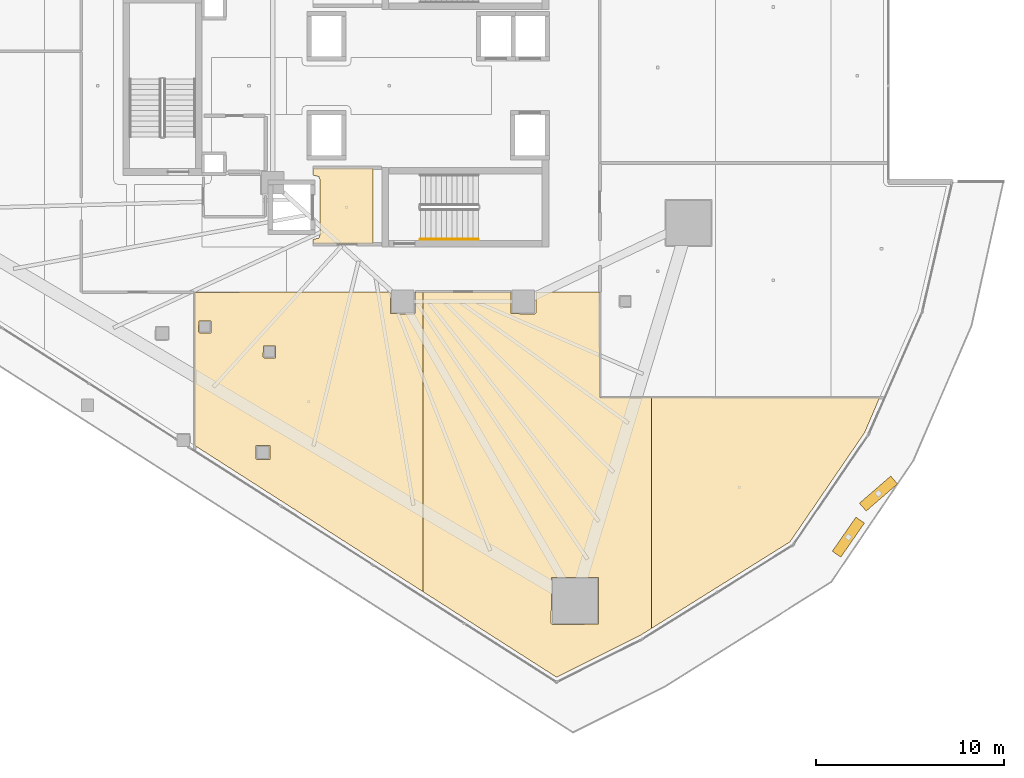
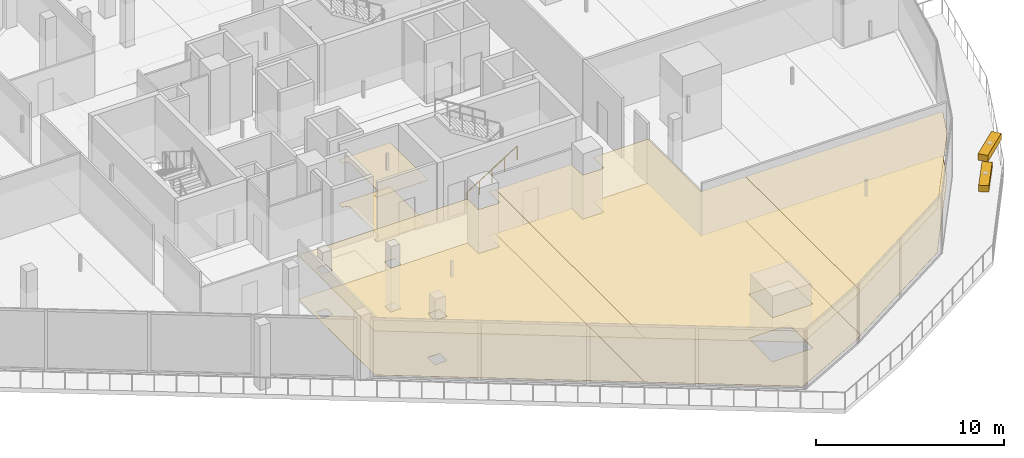
# One storey, part 39 of 45: 8 coverings, 2 shading devices, 1 railing.
"""IFC4 building model written with IfcOpenShell, lengths in metres."""

from ifc_helpers import new_model, si_unit, direction, frame, origin, origin_2d, place, context, subcontext, project, spatial, polyline, rectangle, circle, outline, extrude, material, layer, layer_set, type_object, element, save


model = new_model("IFC4")

# Units and contexts
model_context = context("Model", 3, precision=1e-05, world=origin(), true_north=direction((0.0, 1.0)))
body_context = subcontext(model_context, "Body", "Model", "MODEL_VIEW")
ifc_project = project(units=[si_unit("LENGTHUNIT", "METRE"), si_unit("AREAUNIT", "SQUARE_METRE"), si_unit("VOLUMEUNIT", "CUBIC_METRE"), si_unit("PLANEANGLEUNIT", "RADIAN"), si_unit("MASSUNIT", "GRAM", prefix="KILO")], contexts=[model_context])

# Site, building, storey
site_placement = place(None, origin())
site = spatial("IfcSite", under=ifc_project, at=site_placement, CompositionType="ELEMENT")
building_placement = place(site_placement, origin())
building = spatial("IfcBuilding", under=site, at=building_placement, Name="Qorvath Tower", CompositionType="ELEMENT")
storey_placement = place(building_placement, frame((0.0, 0.0, 95.39990234375)))
storey = spatial("IfcBuildingStorey", under=building, at=storey_placement, Name="L21", CompositionType="ELEMENT", Elevation=95.39990234375)

# Coverings
ifc_material_1 = material(Name="Acoustic mineral fibre ceiling tile", Category="gypsum")
ifc_layer_1 = layer(ifc_material_1, 0.030029296875)
ifc_layer_set_1 = layer_set([ifc_layer_1], Name="COV-CEIL")
covering_type_1 = type_object("IfcCoveringType", Name="COV-CEIL", PredefinedType="CEILING", material=ifc_layer_set_1)
covering_1_placement = place(storey_placement, frame((0.0, 0.0, 2.85009765625)))
element("IfcCovering", 1, at=covering_1_placement, inside=storey, type_object=covering_type_1, Name="L21 Suspended Acoustic Ceiling 002", PredefinedType="CEILING", context=body_context, shape_type="SweptSolid", body=[
    extrude(outline(polyline([(-25.18994140625, -8.39501953125), (-25.18994140625, -4.35498046875), (-28.375, -4.35498046875), (-28.375, -4.739990234375), (-28.063232421875, -4.813232421875), (-27.989990234375, -4.989990234375), (-27.989990234375, -7.909912109375), (-28.063232421875, -8.086669921875), (-28.375, -8.159912109375), (-28.375, -8.39501953125), (-25.18994140625, -8.39501953125)])), origin(), (0.0, 0.0, 1.0), 0.030029296875),
])
covering_2_placement = place(storey_placement, frame((0.0, 0.0, 2.85009765625)))
element("IfcCovering", 2, at=covering_2_placement, inside=storey, type_object=covering_type_1, Name="L21 Suspended Acoustic Ceiling 012", PredefinedType="CEILING", context=body_context, shape_type="SweptSolid", body=[
    extrude(outline(polyline([(-22.5283203125, -26.84814453125), (-22.5283203125, -10.939208984375), (-22.93994140625, -10.939208984375), (-22.93994140625, -12.050048828125), (-23.0, -12.110107421875), (-24.242431640625, -12.092529296875), (-24.260009765625, -10.939697265625), (-34.64501953125, -10.962890625), (-34.64501953125, -19.0888671875), (-22.5283203125, -26.84814453125)]), holes=[polyline([(-31.01220703125, -14.3994140625), (-30.99462890625, -13.806884765625), (-30.35986328125, -13.806884765625), (-30.35986328125, -14.441650390625), (-30.9521484375, -14.459228515625), (-31.01220703125, -14.3994140625)]), polyline([(-31.401123046875, -19.785400390625), (-31.383544921875, -19.093017578125), (-30.648681640625, -19.093017578125), (-30.648681640625, -19.827880859375), (-31.341064453125, -19.845458984375), (-31.401123046875, -19.785400390625)]), polyline([(-34.439208984375, -13.0673828125), (-34.421630859375, -12.47509765625), (-33.786865234375, -12.47509765625), (-33.786865234375, -13.10986328125), (-34.379150390625, -13.12744140625), (-34.439208984375, -13.0673828125)])]), origin(), (0.0, 0.0, 1.0), 0.030029296875),
])
covering_3_placement = place(storey_placement, frame((0.0, 0.0, 2.85009765625)))
element("IfcCovering", 3, at=covering_3_placement, inside=storey, type_object=covering_type_1, Name="L21 Suspended Acoustic Ceiling 013", PredefinedType="CEILING", context=body_context, shape_type="SweptSolid", body=[
    extrude(outline(polyline([(-15.441162109375, -31.386474609375), (-11.036865234375, -29.195068359375), (-10.41162109375, -28.804443359375), (-10.41162109375, -16.55224609375), (-13.130615234375, -16.552001953125), (-13.14697265625, -10.937744140625), (-16.5400390625, -10.940185546875), (-16.5400390625, -12.050048828125), (-16.60009765625, -12.110107421875), (-17.842529296875, -12.092529296875), (-17.860107421875, -10.939697265625), (-22.5283203125, -10.939208984375), (-22.5283203125, -26.84814453125), (-15.441162109375, -31.386474609375)]), holes=[polyline([(-15.724365234375, -28.53076171875), (-15.706787109375, -26.08837890625), (-13.221923828125, -26.08837890625), (-13.221923828125, -28.5732421875), (-15.664306640625, -28.5908203125), (-15.724365234375, -28.53076171875)])]), origin(), (0.0, 0.0, 1.0), 0.030029296875),
])
covering_4_placement = place(storey_placement, frame((0.0, 0.0, 2.85009765625)))
element("IfcCovering", 4, at=covering_4_placement, inside=storey, type_object=covering_type_1, Name="L21 Suspended Acoustic Ceiling 014", PredefinedType="CEILING", context=body_context, shape_type="SweptSolid", body=[
    extrude(outline(polyline([(-10.41162109375, -16.55224609375), (-10.41162109375, -28.804443359375), (-3.05029296875, -24.20849609375), (0.916015625, -18.403564453125), (1.705078125, -16.553466796875), (-10.41162109375, -16.55224609375)])), origin(), (0.0, 0.0, 1.0), 0.030029296875),
])
ifc_material_2 = material(Name="Low-VOC modular carpet tile", Category="textile")
ifc_layer_2 = layer(ifc_material_2, 0.014892578125)
ifc_layer_set_2 = layer_set([ifc_layer_2], Name="COV-FLOOR-CPT")
covering_type_2 = type_object("IfcCoveringType", Name="COV-FLOOR-CPT", PredefinedType="FLOORING", material=ifc_layer_set_2)
covering_5_placement = place(storey_placement, origin())
element("IfcCovering", 5, at=covering_5_placement, inside=storey, type_object=covering_type_2, Name="L21 Floor Finish 012", PredefinedType="FLOORING", context=body_context, shape_type="SweptSolid", body=[
    extrude(outline(polyline([(-22.5283203125, -26.84814453125), (-22.5283203125, -10.939208984375), (-22.93994140625, -10.939208984375), (-22.93994140625, -12.050048828125), (-23.0, -12.110107421875), (-24.242431640625, -12.092529296875), (-24.260009765625, -10.939697265625), (-34.64501953125, -10.962890625), (-34.64501953125, -19.0888671875), (-22.5283203125, -26.84814453125)]), holes=[polyline([(-31.01220703125, -14.3994140625), (-30.99462890625, -13.806884765625), (-30.35986328125, -13.806884765625), (-30.35986328125, -14.441650390625), (-30.9521484375, -14.459228515625), (-31.01220703125, -14.3994140625)]), polyline([(-31.401123046875, -19.785400390625), (-31.383544921875, -19.093017578125), (-30.648681640625, -19.093017578125), (-30.648681640625, -19.827880859375), (-31.341064453125, -19.845458984375), (-31.401123046875, -19.785400390625)]), polyline([(-34.439208984375, -13.0673828125), (-34.421630859375, -12.47509765625), (-33.786865234375, -12.47509765625), (-33.786865234375, -13.10986328125), (-34.379150390625, -13.12744140625), (-34.439208984375, -13.0673828125)])]), origin(), (0.0, 0.0, 1.0), 0.01513671875),
])
covering_6_placement = place(storey_placement, origin())
element("IfcCovering", 6, at=covering_6_placement, inside=storey, type_object=covering_type_2, Name="L21 Floor Finish 013", PredefinedType="FLOORING", context=body_context, shape_type="SweptSolid", body=[
    extrude(outline(polyline([(-15.441162109375, -31.386474609375), (-11.036865234375, -29.195068359375), (-10.41162109375, -28.804443359375), (-10.41162109375, -16.55224609375), (-13.130615234375, -16.552001953125), (-13.14697265625, -10.937744140625), (-16.5400390625, -10.940185546875), (-16.5400390625, -12.050048828125), (-16.60009765625, -12.110107421875), (-17.842529296875, -12.092529296875), (-17.860107421875, -10.939697265625), (-22.5283203125, -10.939208984375), (-22.5283203125, -26.84814453125), (-15.441162109375, -31.386474609375)]), holes=[polyline([(-15.724365234375, -28.53076171875), (-15.706787109375, -26.08837890625), (-13.221923828125, -26.08837890625), (-13.221923828125, -28.5732421875), (-15.664306640625, -28.5908203125), (-15.724365234375, -28.53076171875)])]), origin(), (0.0, 0.0, 1.0), 0.01513671875),
])
covering_7_placement = place(storey_placement, origin())
element("IfcCovering", 7, at=covering_7_placement, inside=storey, type_object=covering_type_2, Name="L21 Floor Finish 014", PredefinedType="FLOORING", context=body_context, shape_type="SweptSolid", body=[
    extrude(outline(polyline([(-10.41162109375, -16.55224609375), (-10.41162109375, -28.804443359375), (-3.05029296875, -24.20849609375), (0.916015625, -18.403564453125), (1.705078125, -16.553466796875), (-10.41162109375, -16.55224609375)])), origin(), (0.0, 0.0, 1.0), 0.01513671875),
])
ifc_material_3 = material(Name="Polished epoxy terrazzo flooring", Category="concrete")
ifc_layer_3 = layer(ifc_material_3, 0.02001953125)
ifc_layer_set_3 = layer_set([ifc_layer_3], Name="COV-FLOOR-TRZ")
covering_type_3 = type_object("IfcCoveringType", Name="COV-FLOOR-TRZ", PredefinedType="FLOORING", material=ifc_layer_set_3)
covering_8_placement = place(storey_placement, origin())
element("IfcCovering", 8, at=covering_8_placement, inside=storey, type_object=covering_type_3, Name="L21 Floor Finish 002", PredefinedType="FLOORING", context=body_context, shape_type="SweptSolid", body=[
    extrude(outline(polyline([(-25.18994140625, -8.39501953125), (-25.18994140625, -4.35498046875), (-28.375, -4.35498046875), (-28.375, -4.739990234375), (-28.063232421875, -4.813232421875), (-27.989990234375, -4.989990234375), (-27.989990234375, -7.909912109375), (-28.063232421875, -8.086669921875), (-28.375, -8.159912109375), (-28.375, -8.39501953125), (-25.18994140625, -8.39501953125)])), origin(), (0.0, 0.0, 1.0), 0.01513671875),
])

# Railing
ifc_material_4 = material(Name="Brushed stainless steel AISI 304", Category="steel")
railing_type = type_object("IfcRailingType", Name="RL-STR-HND", PredefinedType="HANDRAIL", material=ifc_material_4)
railing_placement = place(storey_placement, frame((-22.669921875, -8.14990234375, 0.175048828125)))
element("IfcRailing", 9, at=railing_placement, inside=storey, type_object=railing_type, Name="L21 TS2 stair handrail 1", PredefinedType="HANDRAIL", context=body_context, shape_type="SweptSolid", body=[
    extrude(circle(Radius=0.02392578125, at=origin_2d()), frame((0.0, 0.0, 0.8759765625), z_axis=(0.847979421464, 0.0, 0.530029150871), x_axis=(0.0, 1.0, 0.0)), (0.0, 0.0, 1.0), 3.632080078125),
    extrude(circle(Radius=0.02099609375, at=origin_2d()), origin(), (0.0, 0.0, 1.0), 0.851806640625),
    extrude(circle(Radius=0.02099609375, at=origin_2d()), frame((0.77001953125, 0.0, 0.481201171875)), (0.0, 0.0, 1.0), 0.851806640625),
    extrude(circle(Radius=0.02099609375, at=origin_2d()), frame((1.5400390625, 0.0, 0.96240234375)), (0.0, 0.0, 1.0), 0.851806640625),
    extrude(circle(Radius=0.02099609375, at=origin_2d()), frame((2.309814453125, 0.0, 1.44384765625)), (0.0, 0.0, 1.0), 0.851806640625),
    extrude(circle(Radius=0.02099609375, at=origin_2d()), frame((3.079833984375, 0.0, 1.925048828125)), (0.0, 0.0, 1.0), 0.851806640625),
])

# Shading devices
ifc_material_5 = material(Name="Anodised bronze-champagne aluminium", Category="aluminium")
shading_device_type = type_object("IfcShadingDeviceType", Name="SD-LOUVRE", PredefinedType="JALOUSIE", material=ifc_material_5)
for number, where, z_axis, x_axis, name in (
    (10, (0.050537109375, -23.954833984375, 3.480224609375), (0.0, 0.0, 1.0), (0.569454569794, 0.822022805609, 0.0), "Sinusoidal Wave Louvre Blade L21-03"),
    (11, (1.647705078125, -21.642578125, 3.480224609375), (0.0, 0.0, 1.0), (0.755818043174, 0.654781708367, 0.0), "Sinusoidal Wave Louvre Blade L21-04"),
):
    element("IfcShadingDevice", number, at=place(storey_placement, frame(where, z_axis=z_axis, x_axis=x_axis)), inside=storey, type_object=shading_device_type, Name=name, PredefinedType="NOTDEFINED", context=body_context, shape_type="SweptSolid", body=[
        extrude(rectangle(XDim=2.199951171875, YDim=0.550048828125, at=origin_2d()), origin(), (0.0, 0.0, 1.0), 0.419921875),
    ])

save(model, "model.ifc")
